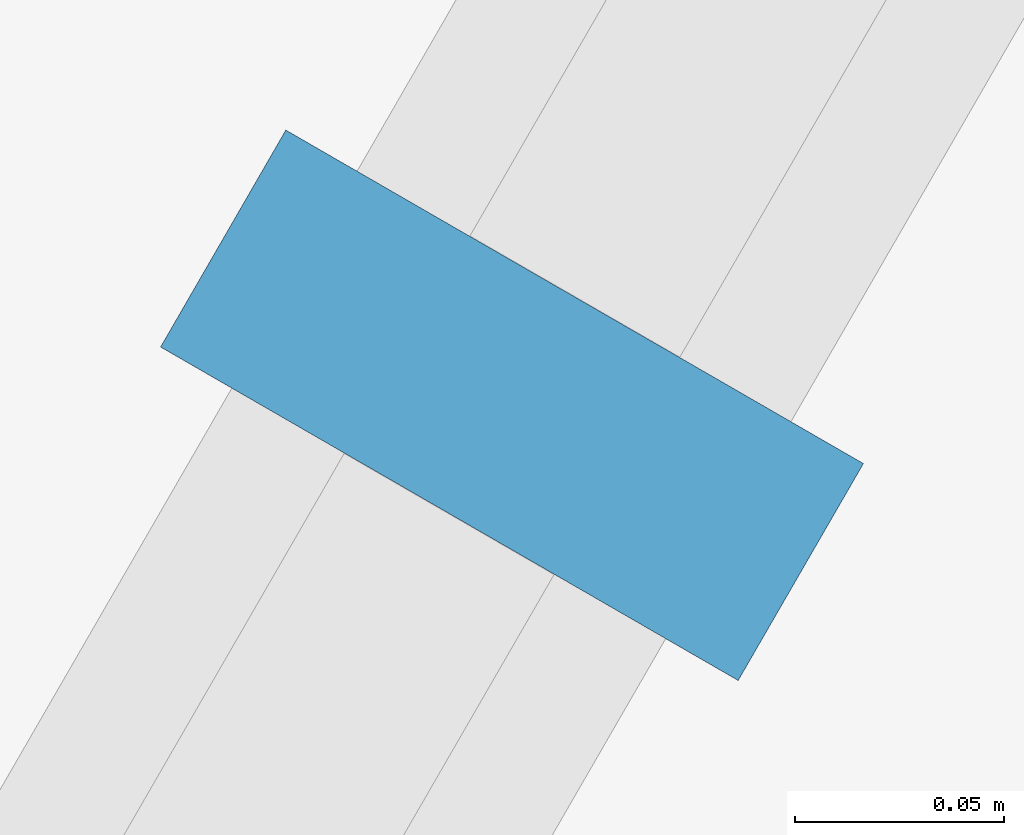
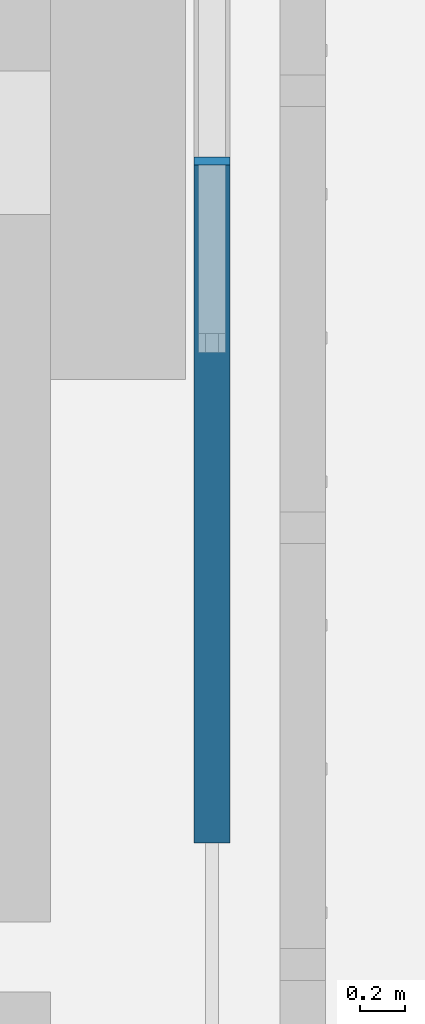
# One storey, part 44 of 127: 1 member, 1 element without a shape of its own.
"""IFC4 building model written with IfcOpenShell, lengths in metres."""

from ifc_helpers import new_model, si_unit, direction, frame, origin, origin_2d, place, context, subcontext, project, spatial, rectangle, extrude, material, material_profile, profile_set, type_object, element, aggregate, save


model = new_model("IFC4")

# Units and contexts
model_context = context("Model", 3, precision=1e-05, world=origin(), true_north=direction((0.0, 1.0)))
body_context = subcontext(model_context, "Body", "Model", "MODEL_VIEW")
ifc_project = project(units=[si_unit("LENGTHUNIT", "METRE"), si_unit("AREAUNIT", "SQUARE_METRE"), si_unit("VOLUMEUNIT", "CUBIC_METRE"), si_unit("PLANEANGLEUNIT", "RADIAN"), si_unit("MASSUNIT", "GRAM", prefix="KILO")], contexts=[model_context])

# Site, building, storey
site_placement = place(None, origin())
site = spatial("IfcSite", under=ifc_project, at=site_placement, CompositionType="ELEMENT")
building_placement = place(site_placement, origin())
building = spatial("IfcBuilding", under=site, at=building_placement, Name="Sandreach Pilgrim Tower", CompositionType="ELEMENT")
storey_placement = place(building_placement, frame((0.0, 0.0, 257.0)))
storey = spatial("IfcBuildingStorey", under=building, at=storey_placement, Name="L64", CompositionType="ELEMENT", Elevation=257.0)

# Curtain wall, member
ifc_material_1 = material(Name="Aluminium framed curtain wall", Category="aluminium")
curtain_wall_type = type_object("IfcCurtainWallType", Name="Suite tower curtain wall", PredefinedType="NOTDEFINED", material=ifc_material_1)
curtain_wall_placement = place(storey_placement, origin())
curtain_wall = element("IfcCurtainWall", 1, at=curtain_wall_placement, inside=storey, type_object=curtain_wall_type, Name="CW-4 L64 SE", PredefinedType="NOTDEFINED")
ifc_material_2 = material(Name="Aluminium extrusion", Category="aluminium")
ifc_material_profile = material_profile(ifc_material_2, rectangle(XDim=0.06005859375, YDim=0.159912109375, at=origin_2d()), Name="CW-4M 60X160")
ifc_profile_set = profile_set([ifc_material_profile], Name="Aluminium extrusion")
member_type = type_object("IfcMemberType", Name="CW-4 mullion", PredefinedType="MULLION", material=ifc_profile_set)
member_placement = place(storey_placement, frame((18.07568359375, -8.344970703125, 0.0), z_axis=(0.0, 0.0, 1.0), x_axis=(-0.5, -0.866025403784, 0.0)))
member = element("IfcMember", 2, at=member_placement, type_object=member_type, Name="CW-4 mullion 5", PredefinedType="MULLION", context=body_context, shape_type="SweptSolid", body=[
    extrude(rectangle(XDim=0.06005859375, YDim=0.159912109375, at=origin_2d()), origin(), (0.0, 0.0, 1.0), 3.639892578125),
])
aggregate(curtain_wall, [member])

save(model, "model.ifc")
